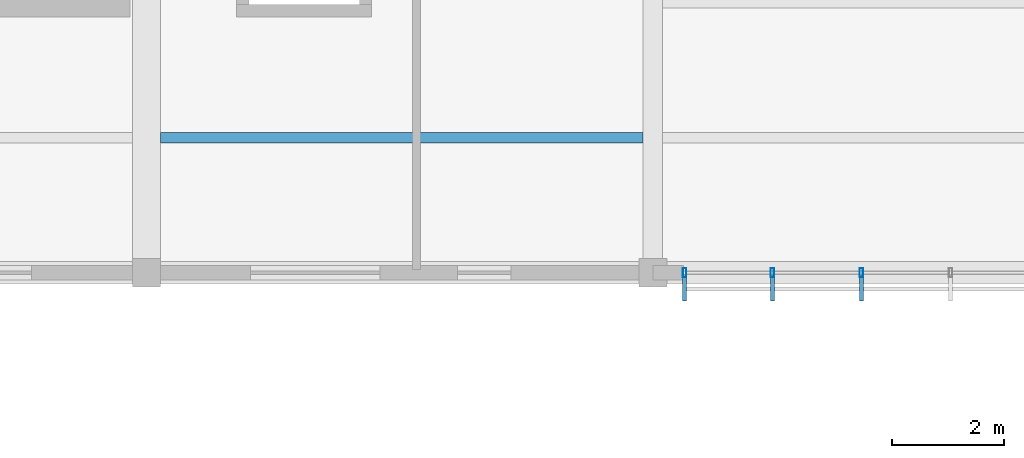
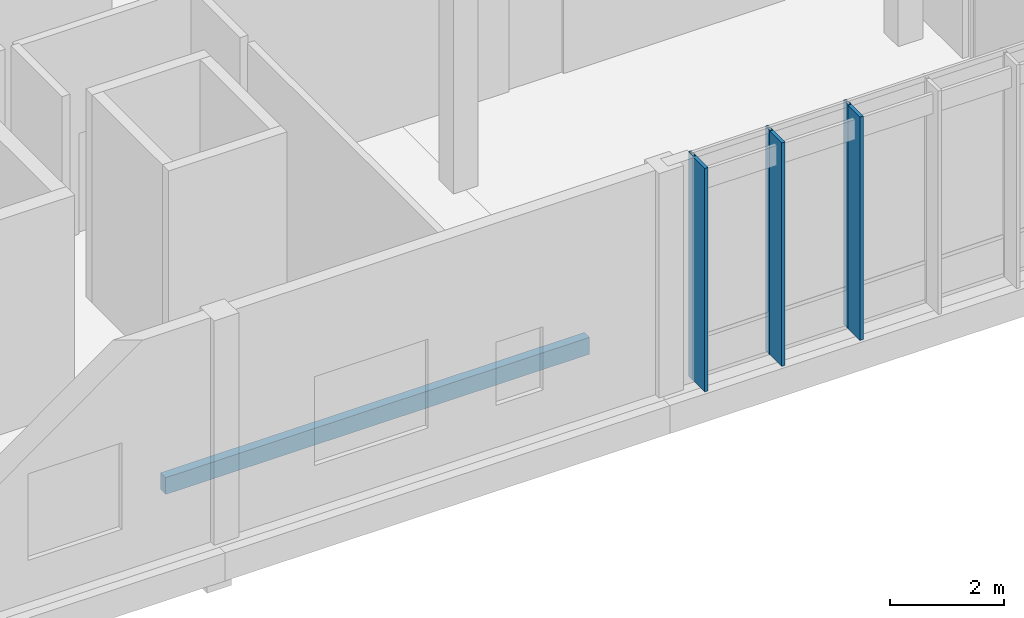
# One storey, part 45 of 177: 6 members, 1 beam, 1 element without a shape of its own.
"""IFC4 building model written with IfcOpenShell, lengths in metres."""

from ifc_helpers import new_model, si_unit, direction, frame, origin, origin_2d, place, context, subcontext, project, spatial, rectangle, hollow_rectangle, extrude, material, material_profile, profile_set, type_object, element, aggregate, save


model = new_model("IFC4")

# Units and contexts
model_context = context("Model", 3, precision=1e-05, world=origin(), true_north=direction((0.0, 1.0)))
body_context = subcontext(model_context, "Body", "Model", "MODEL_VIEW")
ifc_project = project(units=[si_unit("LENGTHUNIT", "METRE"), si_unit("AREAUNIT", "SQUARE_METRE"), si_unit("VOLUMEUNIT", "CUBIC_METRE"), si_unit("PLANEANGLEUNIT", "RADIAN"), si_unit("MASSUNIT", "GRAM", prefix="KILO")], contexts=[model_context])

# Site, building, storey
site_placement = place(None, origin())
site = spatial("IfcSite", under=ifc_project, at=site_placement, CompositionType="ELEMENT")
building_placement = place(site_placement, origin())
building = spatial("IfcBuilding", under=site, at=building_placement, Name="Chiffa Square Polytechnic", CompositionType="ELEMENT")
storey_placement = place(building_placement, frame((0.0, 0.0, 4.800048828125)))
storey = spatial("IfcBuildingStorey", under=building, at=storey_placement, Name="L01", CompositionType="ELEMENT", Elevation=4.800048828125)

# Curtain wall, members
ifc_material_1 = material(Name="Aluminium EN AW-6060 T66 and glulam shading", Category="wood")
curtain_wall_type = type_object("IfcCurtainWallType", Name="CW-VERT-450X440", PredefinedType="USERDEFINED", material=ifc_material_1)
curtain_wall_placement = place(storey_placement, origin())
curtain_wall = element("IfcCurtainWall", 1, at=curtain_wall_placement, inside=storey, type_object=curtain_wall_type, Name="Curtain wall CW-V4-L01-184", ObjectType="CURTAIN WALL", PredefinedType="USERDEFINED")
ifc_material_2 = material(Name="Aluminium EN AW-6060 T66", Category="aluminium")
ifc_material_profile_1 = material_profile(ifc_material_2, hollow_rectangle(XDim=0.06005859375, YDim=0.159912109375, WallThickness=0.00390625, at=origin_2d()), Name="ALU 60x160x4")
ifc_profile_set_1 = profile_set([ifc_material_profile_1], Name="Aluminium EN AW-6060 T66")
member_type_1 = type_object("IfcMemberType", Name="CWM-ALU-65X150", PredefinedType="MULLION", material=ifc_profile_set_1)
member_1_placement = place(storey_placement, frame((76.1650390625, 21.60009765625, 0.0), z_axis=(0.0, 0.0, 1.0), x_axis=(1.0, 0.0, 0.0)))
member_1 = element("IfcMember", 2, at=member_1_placement, type_object=member_type_1, Name="Curtain wall mullion CW-V4-L01-184-M00", PredefinedType="MULLION", context=body_context, shape_type="SweptSolid", body=[
    extrude(hollow_rectangle(XDim=0.06005859375, YDim=0.159912109375, WallThickness=0.00390625, at=origin_2d()), origin(), (0.0, 0.0, 1.0), 4.800048828125),
])
member_2_placement = place(storey_placement, frame((77.72412109375, 21.60009765625, 0.0), z_axis=(0.0, 0.0, 1.0), x_axis=(1.0, 0.0, 0.0)))
member_2 = element("IfcMember", 3, at=member_2_placement, type_object=member_type_1, Name="Curtain wall mullion CW-V4-L01-184-M01", PredefinedType="MULLION", context=body_context, shape_type="SweptSolid", body=[
    extrude(hollow_rectangle(XDim=0.06005859375, YDim=0.159912109375, WallThickness=0.00390625, at=origin_2d()), origin(), (0.0, 0.0, 1.0), 4.800048828125),
])
member_3_placement = place(storey_placement, frame((79.30810546875, 21.60009765625, 0.0), z_axis=(0.0, 0.0, 1.0), x_axis=(1.0, 0.0, 0.0)))
member_3 = element("IfcMember", 4, at=member_3_placement, type_object=member_type_1, Name="Curtain wall mullion CW-V4-L01-184-M02", PredefinedType="MULLION", context=body_context, shape_type="SweptSolid", body=[
    extrude(hollow_rectangle(XDim=0.06005859375, YDim=0.159912109375, WallThickness=0.00390625, at=origin_2d()), origin(), (0.0, 0.0, 1.0), 4.800048828125),
])
ifc_material_3 = material(Name="Glulam GL28h", Category="wood")
ifc_material_profile_2 = material_profile(ifc_material_3, rectangle(XDim=0.070068359375, YDim=0.419921875, at=origin_2d()), Name="GL28h 70x420")
ifc_profile_set_2 = profile_set([ifc_material_profile_2], Name="Glulam GL28h")
member_type_2 = type_object("IfcMemberType", Name="CWM-GL-70X420", PredefinedType="MULLION", material=ifc_profile_set_2)
member_4_placement = place(storey_placement, frame((76.1650390625, 21.30810546875, 0.010009765625), z_axis=(0.0, 0.0, 1.0), x_axis=(1.0, 0.0, 0.0)))
member_4 = element("IfcMember", 5, at=member_4_placement, type_object=member_type_2, Name="Exterior glulam solar fin CW-V4-L01-184-FN00", PredefinedType="MULLION", context=body_context, shape_type="SweptSolid", body=[
    extrude(rectangle(XDim=0.070068359375, YDim=0.419921875, at=origin_2d()), origin(), (0.0, 0.0, 1.0), 4.780029296875),
])
member_5_placement = place(storey_placement, frame((77.72412109375, 21.30810546875, 0.010009765625), z_axis=(0.0, 0.0, 1.0), x_axis=(1.0, 0.0, 0.0)))
member_5 = element("IfcMember", 6, at=member_5_placement, type_object=member_type_2, Name="Exterior glulam solar fin CW-V4-L01-184-FN01", PredefinedType="MULLION", context=body_context, shape_type="SweptSolid", body=[
    extrude(rectangle(XDim=0.070068359375, YDim=0.419921875, at=origin_2d()), origin(), (0.0, 0.0, 1.0), 4.780029296875),
])
member_6_placement = place(storey_placement, frame((79.30810546875, 21.30810546875, 0.010009765625), z_axis=(0.0, 0.0, 1.0), x_axis=(1.0, 0.0, 0.0)))
member_6 = element("IfcMember", 7, at=member_6_placement, type_object=member_type_2, Name="Exterior glulam solar fin CW-V4-L01-184-FN02", PredefinedType="MULLION", context=body_context, shape_type="SweptSolid", body=[
    extrude(rectangle(XDim=0.070068359375, YDim=0.419921875, at=origin_2d()), origin(), (0.0, 0.0, 1.0), 4.780029296875),
])
aggregate(curtain_wall, [member_1, member_4, member_2, member_5, member_3, member_6])

# Beam
ifc_material_profile_3 = material_profile(ifc_material_3, rectangle(XDim=0.179931640625, YDim=0.360107421875, at=origin_2d()), Name="GL28h 180x360")
ifc_profile_set_3 = profile_set([ifc_material_profile_3], Name="Glulam GL28h")
beam_type = type_object("IfcBeamType", Name="JST-GL-180X360", PredefinedType="JOIST", material=ifc_profile_set_3)
beam_placement = place(storey_placement, frame((66.847900390625, 24.0, -0.4599609375), z_axis=(1.0, 0.0, 0.0), x_axis=(0.0, 1.0, 0.0)))
element("IfcBeam", 8, at=beam_placement, inside=storey, type_object=beam_type, Name="Secondary floor joist JST-V4-L01-0666-0240", PredefinedType="JOIST", context=body_context, shape_type="SweptSolid", body=[
    extrude(rectangle(XDim=0.179931640625, YDim=0.360107421875, at=origin_2d()), origin(), (0.0, 0.0, 1.0), 8.5791015625),
])

save(model, "model.ifc")
